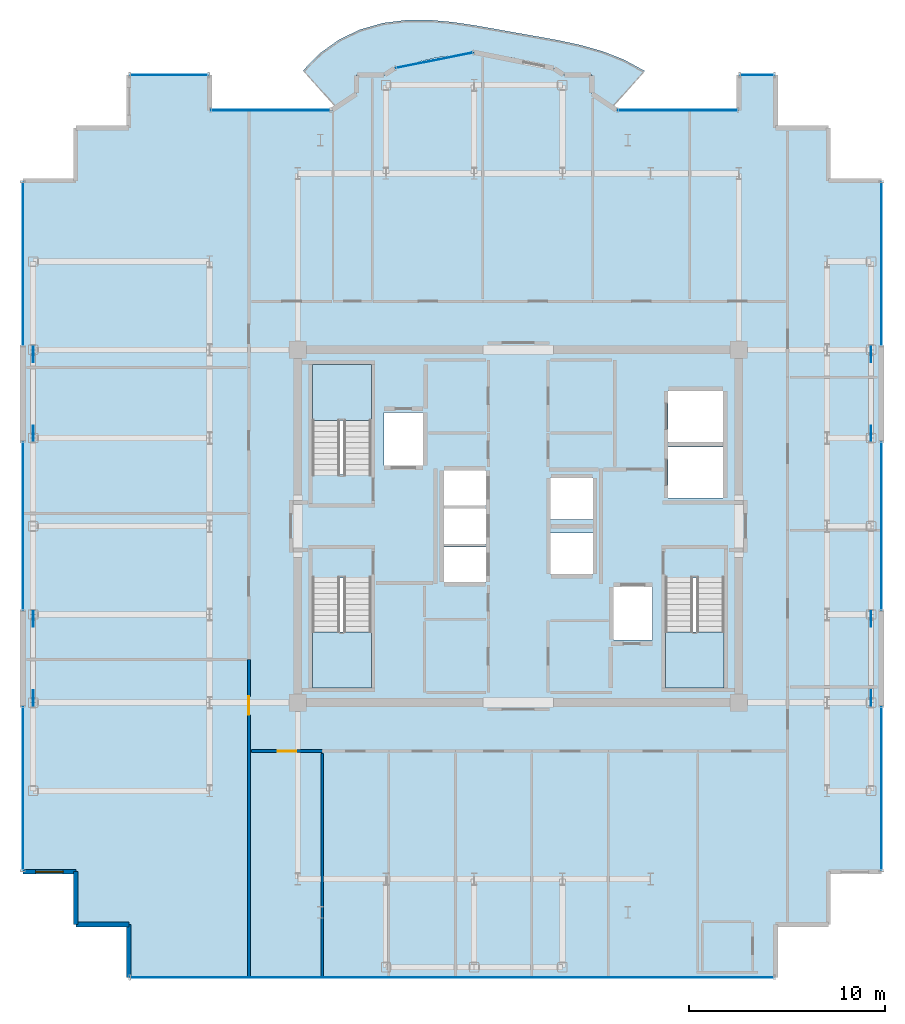
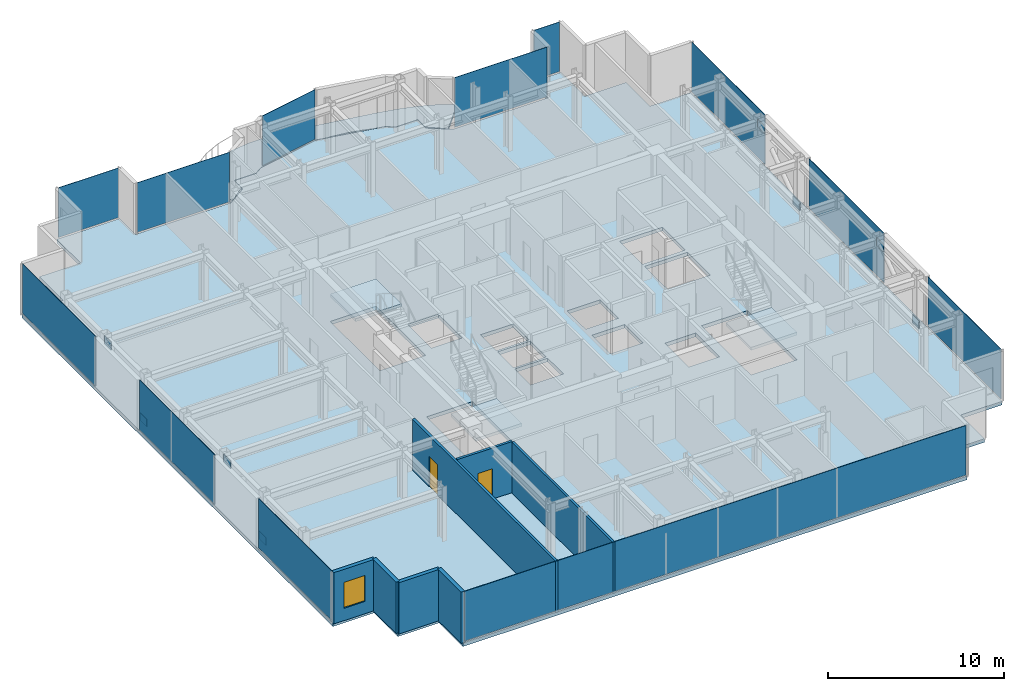
# One storey, part 10 of 16: 20 plates, 7 walls, 5 slabs, 2 doors, 1 window, 3 openings, 15 elements without a shape of their own.
"""IFC4 building model written with IfcOpenShell, lengths in metres."""

from ifc_helpers import new_model, si_unit, direction, frame, frame_2d, origin, origin_2d, place, context, subcontext, project, spatial, polyline, rectangle, outline, extrude, source, transform, mapped, material, layer, layer_set, type_object, element, fill, aggregate, save


model = new_model("IFC4")

# Units and contexts
model_context = context("Model", 3, precision=1e-05, world=origin(), true_north=direction((0.0, 1.0)))
body_context = subcontext(model_context, "Body", "Model", "MODEL_VIEW")
ifc_project = project(units=[si_unit("LENGTHUNIT", "METRE"), si_unit("AREAUNIT", "SQUARE_METRE"), si_unit("VOLUMEUNIT", "CUBIC_METRE"), si_unit("PLANEANGLEUNIT", "RADIAN"), si_unit("MASSUNIT", "GRAM", prefix="KILO")], contexts=[model_context])

# Site, building, storey
site_placement = place(None, origin())
site = spatial("IfcSite", under=ifc_project, at=site_placement, CompositionType="ELEMENT")
building_placement = place(site_placement, origin())
building = spatial("IfcBuilding", under=site, at=building_placement, Name="Nefas-Gora Pilgrimage Tower", CompositionType="ELEMENT")
storey_placement = place(building_placement, frame((0.0, 0.0, 310.199951171875)))
storey = spatial("IfcBuildingStorey", under=building, at=storey_placement, Name="L78", CompositionType="ELEMENT", Elevation=310.199951171875)

# Slabs
ifc_material_1 = material(Name="Concrete C40/50", Category="concrete")
ifc_layer_1 = layer(ifc_material_1, 0.219970703125)
ifc_layer_set_1 = layer_set([ifc_layer_1], Name="Concrete C40/50")
slab_type_1 = type_object("IfcSlabType", Name="SLB-BAL-P3", PredefinedType="FLOOR", material=ifc_layer_set_1)
slab_1_placement = place(storey_placement, frame((0.0, 0.0, -0.219970703125)))
element("IfcSlab", 1, at=slab_1_placement, inside=storey, type_object=slab_type_1, Name="L78 Sinusoidal Lobe Balcony Slab N (Phase 3)", PredefinedType="FLOOR", context=body_context, shape_type="SweptSolid", body=[
    extrude(outline(polyline([(-9.28759765625, 21.385986328125), (-9.224609375, 21.427978515625), (-8.538330078125, 21.9912109375), (-8.260009765625, 22.179931640625), (-8.260009765625, 23.02001953125), (-8.260009765625, 23.02099609375), (-8.259765625, 23.02197265625), (-8.259521484375, 23.02294921875), (-8.25927734375, 23.023681640625), (-8.2587890625, 23.024658203125), (-8.25830078125, 23.025634765625), (-8.2578125, 23.0263671875), (-8.257080078125, 23.027099609375), (-8.25634765625, 23.027587890625), (-8.255615234375, 23.0283203125), (-8.254638671875, 23.02880859375), (-8.25390625, 23.029296875), (-8.2529296875, 23.029541015625), (-8.251953125, 23.02978515625), (-8.2509765625, 23.030029296875), (-8.25, 23.030029296875), (-6.8271484375, 23.030029296875), (-6.31298828125, 23.37353515625), (-6.31201171875, 23.3740234375), (-6.311279296875, 23.37451171875), (-6.310302734375, 23.375), (-6.309326171875, 23.375), (-5.63037109375, 23.51025390625), (-5.102783203125, 23.685302734375), (-4.165283203125, 23.904052734375), (-3.211669921875, 24.035888671875), (-2.919921875, 24.04931640625), (-2.251953125, 24.18212890625), (-2.2509765625, 24.182373046875), (-2.25, 24.182373046875), (-2.2490234375, 24.182373046875), (-2.248046875, 24.18212890625), (-1.580078125, 24.04931640625), (-1.288330078125, 24.035888671875), (-0.334716796875, 23.904052734375), (0.602783203125, 23.685302734375), (1.13037109375, 23.51025390625), (1.809326171875, 23.375), (1.810302734375, 23.375), (1.811279296875, 23.37451171875), (1.81201171875, 23.3740234375), (1.81298828125, 23.37353515625), (2.3271484375, 23.030029296875), (3.75, 23.030029296875), (3.7509765625, 23.030029296875), (3.751953125, 23.02978515625), (3.7529296875, 23.029541015625), (3.75390625, 23.029296875), (3.754638671875, 23.02880859375), (3.755615234375, 23.0283203125), (3.75634765625, 23.027587890625), (3.757080078125, 23.027099609375), (3.7578125, 23.0263671875), (3.75830078125, 23.025634765625), (3.7587890625, 23.024658203125), (3.75927734375, 23.023681640625), (3.759521484375, 23.02294921875), (3.759765625, 23.02197265625), (3.760009765625, 23.02099609375), (3.760009765625, 23.02001953125), (3.760009765625, 22.179931640625), (4.038330078125, 21.9912109375), (4.724609375, 21.427978515625), (4.78759765625, 21.385986328125), (6.4453125, 23.22705078125), (5.391357421875, 23.802978515625), (4.284912109375, 24.234130859375), (3.16455078125, 24.5498046875), (2.055908203125, 24.787353515625), (0.969482421875, 24.985107421875), (-0.099609375, 25.172607421875), (-1.166259765625, 25.3642578125), (-2.25, 25.554931640625), (-3.366455078125, 25.720947265625), (-4.521240234375, 25.824951171875), (-5.70556640625, 25.822509765625), (-6.8955078125, 25.672119140625), (-8.055908203125, 25.343505859375), (-9.14599609375, 24.8232421875), (-10.127197265625, 24.118896484375), (-10.9716796875, 23.25634765625), (-9.28759765625, 21.385986328125)])), origin(), (0.0, 0.0, 1.0), 0.219970703125),
])
ifc_layer_2 = layer(ifc_material_1, 0.25)
ifc_layer_set_2 = layer_set([ifc_layer_2], Name="Concrete C40/50")
slab_type_2 = type_object("IfcSlabType", Name="SLB-TWR-260", PredefinedType="FLOOR", material=ifc_layer_set_2)
slab_2_placement = place(storey_placement, frame((0.0, 0.0, -0.25)))
element("IfcSlab", 2, at=slab_2_placement, inside=storey, type_object=slab_type_2, Name="L78 Structural Floor Slab", PredefinedType="FLOOR", context=body_context, shape_type="SweptSolid", body=[
    extrude(outline(polyline([(15.820068359375, -17.6201171875), (18.52001953125, -17.6201171875), (18.52001953125, 17.6201171875), (15.820068359375, 17.6201171875), (15.820068359375, 20.320068359375), (13.1201171875, 20.320068359375), (13.1201171875, 23.02001953125), (11.25, 23.02001953125), (11.25, 21.219970703125), (5.01806640625, 21.219970703125), (3.75, 22.0673828125), (3.75, 23.02001953125), (2.32421875, 23.02001953125), (1.807373046875, 23.365234375), (-2.25, 24.17236328125), (-6.307373046875, 23.365234375), (-6.82421875, 23.02001953125), (-8.25, 23.02001953125), (-8.25, 22.0673828125), (-9.51806640625, 21.219970703125), (-15.75, 21.219970703125), (-15.75, 23.02001953125), (-19.8701171875, 23.02001953125), (-19.8701171875, 20.320068359375), (-22.570068359375, 20.320068359375), (-22.570068359375, 17.6201171875), (-25.27001953125, 17.6201171875), (-25.27001953125, -17.6201171875), (-22.570068359375, -17.6201171875), (-22.570068359375, -20.320068359375), (-19.8701171875, -20.320068359375), (-19.8701171875, -23.02001953125), (13.1201171875, -23.02001953125), (13.1201171875, -20.320068359375), (15.820068359375, -20.320068359375), (15.820068359375, -17.6201171875)]), holes=[polyline([(-10.5, 2.639892578125), (-10.5, 8.25), (-7.5, 8.25), (-7.5, 2.639892578125), (-10.5, 2.639892578125)]), polyline([(10.5, -2.639892578125), (10.5, -8.25), (7.5, -8.25), (7.5, -2.639892578125), (10.5, -2.639892578125)]), polyline([(-7.5, -2.639892578125), (-7.5, -8.25), (-10.5, -8.25), (-10.5, -2.639892578125), (-7.5, -2.639892578125)]), polyline([(-6.85009765625, 5.800048828125), (-4.85009765625, 5.800048828125), (-4.85009765625, 3.10009765625), (-6.85009765625, 3.10009765625), (-6.85009765625, 5.800048828125)]), polyline([(4.85009765625, -3.10009765625), (6.85009765625, -3.10009765625), (6.85009765625, -5.800048828125), (4.85009765625, -5.800048828125), (4.85009765625, -3.10009765625)]), polyline([(7.64990234375, 4.050048828125), (10.449951171875, 4.050048828125), (10.449951171875, 1.449951171875), (7.64990234375, 1.449951171875), (7.64990234375, 4.050048828125)]), polyline([(7.64990234375, 6.89990234375), (10.449951171875, 6.89990234375), (10.449951171875, 4.300048828125), (7.64990234375, 4.300048828125), (7.64990234375, 6.89990234375)]), polyline([(-3.800048828125, -1.050048828125), (-1.64990234375, -1.050048828125), (-1.64990234375, -2.85009765625), (-3.800048828125, -2.85009765625), (-3.800048828125, -1.050048828125)]), polyline([(-3.800048828125, 0.89990234375), (-1.64990234375, 0.89990234375), (-1.64990234375, -0.89990234375), (-3.800048828125, -0.89990234375), (-3.800048828125, 0.89990234375)]), polyline([(-3.800048828125, 2.85009765625), (-1.64990234375, 2.85009765625), (-1.64990234375, 1.050048828125), (-3.800048828125, 1.050048828125), (-3.800048828125, 2.85009765625)]), polyline([(1.64990234375, -0.35009765625), (3.800048828125, -0.35009765625), (3.800048828125, -2.449951171875), (1.64990234375, -2.449951171875), (1.64990234375, -0.35009765625)]), polyline([(1.64990234375, 2.449951171875), (3.800048828125, 2.449951171875), (3.800048828125, 0.35009765625), (1.64990234375, 0.35009765625), (1.64990234375, 2.449951171875)])]), origin(), (0.0, 0.0, 1.0), 0.25),
])

# Stair, slab
ifc_material_2 = material(Name="Concrete C45/55", Category="concrete")
stair_type = type_object("IfcStairType", Name="STR-1400-R1727", PredefinedType="HALF_TURN_STAIR", material=ifc_material_2)
stair_1_placement = place(storey_placement, origin())
stair_1 = element("IfcStair", 3, at=stair_1_placement, inside=storey, type_object=stair_type, Name="L78 Pressurised Tower Exit Stair ST-01", PredefinedType="HALF_TURN_STAIR")
ifc_layer_3 = layer(ifc_material_1, 0.199951171875)
ifc_layer_set_3 = layer_set([ifc_layer_3], Name="Concrete C40/50")
slab_type_3 = type_object("IfcSlabType", Name="STR-LAND-200", PredefinedType="LANDING", material=ifc_layer_set_3)
slab_3_placement = place(storey_placement, frame((0.0, 0.0, 1.699951171875)))
slab_3 = element("IfcSlab", 4, at=slab_3_placement, type_object=slab_type_3, Name="ST-01 landing 1", PredefinedType="LANDING", context=body_context, shape_type="SweptSolid", body=[
    extrude(outline(polyline([(-7.5, 5.39990234375), (-7.5, 8.25), (-10.5, 8.25), (-10.5, 5.39990234375), (-7.5, 5.39990234375)])), origin(), (0.0, 0.0, 1.0), 0.2001953125),
])
aggregate(stair_1, [slab_3])

stair_2_placement = place(storey_placement, origin())
stair_2 = element("IfcStair", 5, at=stair_2_placement, inside=storey, type_object=stair_type, Name="L78 Pressurised Tower Exit Stair ST-02", PredefinedType="HALF_TURN_STAIR")
slab_4_placement = place(storey_placement, frame((0.0, 0.0, 1.699951171875)))
slab_4 = element("IfcSlab", 6, at=slab_4_placement, type_object=slab_type_3, Name="ST-02 landing 1", PredefinedType="LANDING", context=body_context, shape_type="SweptSolid", body=[
    extrude(outline(polyline([(7.5, -5.39990234375), (7.5, -8.25), (10.5, -8.25), (10.5, -5.39990234375), (7.5, -5.39990234375)])), origin(), (0.0, 0.0, 1.0), 0.2001953125),
])
aggregate(stair_2, [slab_4])

stair_3_placement = place(storey_placement, origin())
stair_3 = element("IfcStair", 7, at=stair_3_placement, inside=storey, type_object=stair_type, Name="L78 Pressurised Tower Exit Stair ST-03", PredefinedType="HALF_TURN_STAIR")
slab_5_placement = place(storey_placement, frame((0.0, 0.0, 1.699951171875)))
slab_5 = element("IfcSlab", 8, at=slab_5_placement, type_object=slab_type_3, Name="ST-03 landing 1", PredefinedType="LANDING", context=body_context, shape_type="SweptSolid", body=[
    extrude(outline(polyline([(-10.5, -5.39990234375), (-10.5, -8.25), (-7.5, -8.25), (-7.5, -5.39990234375), (-10.5, -5.39990234375)])), origin(), (0.0, 0.0, 1.0), 0.2001953125),
])
aggregate(stair_3, [slab_5])

# Plates
ifc_material_3 = material(Name="Steel S355", Category="steel")
ifc_layer_4 = layer(ifc_material_3, 0.052001953125)
ifc_layer_set_4 = layer_set([ifc_layer_4], Name="Steel S355")
plate_type_1 = type_object("IfcPlateType", Name="PLT-NODE-N09", PredefinedType="USERDEFINED", material=ifc_layer_set_4)
shared_shape_1 = source(origin(), body_context, "Body", "SweptSolid", [
    extrude(rectangle(XDim=0.780029296875, YDim=0.0380859375, at=origin_2d()), origin(), (0.0, 0.0, 1.0), 0.5400390625),
])
for number, where, z_axis, x_axis, name in (
    (9, (-24.75, -8.761962890625, 0.05029296875), (0.0, 0.0, 1.0), (0.0, 1.0, 0.0), "Structural Node Gusset Plate N09 (L78)"),
    (10, (-24.75, -4.738037109375, 2.9296875), (0.0, 0.0, 1.0), (0.0, 1.0, 0.0), "Structural Node Gusset Plate N09 (L78)"),
    (11, (-24.75, 4.738037109375, 0.05029296875), (0.0, 0.0, 1.0), (0.0, 1.0, 0.0), "Structural Node Gusset Plate N09 (L78)"),
    (12, (-24.75, 8.761962890625, 2.9296875), (0.0, 0.0, 1.0), (0.0, 1.0, 0.0), "Structural Node Gusset Plate N09 (L78)"),
    (13, (18.0, -8.761962890625, 0.05029296875), (0.0, 0.0, 1.0), (0.0, 1.0, 0.0), "Structural Node Gusset Plate N09 (L78)"),
    (14, (18.0, -4.738037109375, 2.9296875), (0.0, 0.0, 1.0), (0.0, 1.0, 0.0), "Structural Node Gusset Plate N09 (L78)"),
    (15, (18.0, 4.738037109375, 0.05029296875), (0.0, 0.0, 1.0), (0.0, 1.0, 0.0), "Structural Node Gusset Plate N09 (L78)"),
    (16, (18.0, 8.761962890625, 2.9296875), (0.0, 0.0, 1.0), (0.0, 1.0, 0.0), "Structural Node Gusset Plate N09 (L78)"),
):
    element("IfcPlate", number, at=place(storey_placement, frame(where, z_axis=z_axis, x_axis=x_axis)), inside=storey, type_object=plate_type_1, Name=name, ObjectType="GUSSET_PLATE", PredefinedType="USERDEFINED", context=body_context, shape_type="MappedRepresentation", body=[
        mapped(shared_shape_1, transform((0.0, 0.0, 0.0), x_axis=(1.0, 0.0, 0.0), y_axis=(0.0, 1.0, 0.0), z_axis=(0.0, 0.0, 1.0), scale=1.0)),
    ])

# Curtain wall, plate
ifc_material_4 = material(Name="Dark ceramic-fritted solar-control aluminium-glass curtain wall", Category="aluminium")
ifc_layer_5 = layer(ifc_material_4, 0.219970703125)
ifc_layer_set_5 = layer_set([ifc_layer_5], Name="Dark ceramic-fritted solar-control aluminium-glass curtain wall")
curtain_wall_type_1 = type_object("IfcCurtainWallType", Name="CW-SYS-5", PredefinedType="NOTDEFINED", material=ifc_layer_set_5)
curtain_wall_1_placement = place(storey_placement, origin())
curtain_wall_1 = element("IfcCurtainWall", 17, at=curtain_wall_1_placement, inside=storey, type_object=curtain_wall_type_1, Name="L78 Unitised Curtain Wall CW5", PredefinedType="NOTDEFINED")
ifc_material_5 = material(Name="Dark ceramic-printed low-e insulated glass", Category="glass")
ifc_layer_6 = layer(ifc_material_5, 0.028076171875)
ifc_layer_set_6 = layer_set([ifc_layer_6], Name="Dark ceramic-printed low-e insulated glass")
plate_type_2 = type_object("IfcPlateType", Name="CWP-PNL-5", PredefinedType="CURTAIN_PANEL", material=ifc_layer_set_6)
shared_shape_2 = source(origin(), body_context, "Body", "SweptSolid", [
    extrude(rectangle(XDim=6.052001953125, YDim=0.028076171875, at=origin_2d()), origin(), (0.0, 0.0, 1.0), 3.43994140625),
])
plate_1_placement = place(storey_placement, frame((8.134033203125, 21.219970703125, 0.10009765625), z_axis=(0.0, 0.0, 1.0), x_axis=(-1.0, 0.0, 0.0)))
plate_1 = element("IfcPlate", 18, at=plate_1_placement, type_object=plate_type_2, Name="CW5 Ceramic-Fritted Glazing Panel 1", PredefinedType="CURTAIN_PANEL", context=body_context, shape_type="MappedRepresentation", body=[
    mapped(shared_shape_2, transform((0.0, 0.0, 0.0), x_axis=(1.0, 0.0, 0.0), y_axis=(0.0, 1.0, 0.0), z_axis=(0.0, 0.0, 1.0), scale=1.0)),
])
aggregate(curtain_wall_1, [plate_1])

curtain_wall_2_placement = place(storey_placement, origin())
curtain_wall_2 = element("IfcCurtainWall", 19, at=curtain_wall_2_placement, inside=storey, type_object=curtain_wall_type_1, Name="L78 Unitised Curtain Wall CW5", PredefinedType="NOTDEFINED")
plate_2_placement = place(storey_placement, frame((-12.634033203125, 21.219970703125, 0.10009765625), z_axis=(0.0, 0.0, 1.0), x_axis=(-1.0, 0.0, 0.0)))
plate_2 = element("IfcPlate", 20, at=plate_2_placement, type_object=plate_type_2, Name="CW5 Ceramic-Fritted Glazing Panel 1", PredefinedType="CURTAIN_PANEL", context=body_context, shape_type="MappedRepresentation", body=[
    mapped(shared_shape_2, transform((0.0, 0.0, 0.0), x_axis=(1.0, 0.0, 0.0), y_axis=(0.0, 1.0, 0.0), z_axis=(0.0, 0.0, 1.0), scale=1.0)),
])
aggregate(curtain_wall_2, [plate_2])

curtain_wall_3_placement = place(storey_placement, origin())
curtain_wall_3 = element("IfcCurtainWall", 21, at=curtain_wall_3_placement, inside=storey, type_object=curtain_wall_type_1, Name="L78 Unitised Curtain Wall CW5", PredefinedType="NOTDEFINED")
shared_shape_3 = source(origin(), body_context, "Body", "SweptSolid", [
    extrude(rectangle(XDim=3.956787109375, YDim=0.028076171875, at=origin_2d()), origin(), (0.0, 0.0, 1.0), 3.43994140625),
])
plate_3_placement = place(storey_placement, frame((-4.278564453125, 23.768798828125, 0.10009765625), z_axis=(0.0, 0.0, 1.0), x_axis=(-0.980782896852, -0.195102304554, 0.0)))
plate_3 = element("IfcPlate", 22, at=plate_3_placement, type_object=plate_type_2, Name="CW5 Ceramic-Fritted Glazing Panel 1", PredefinedType="CURTAIN_PANEL", context=body_context, shape_type="MappedRepresentation", body=[
    mapped(shared_shape_3, transform((0.0, 0.0, 0.0), x_axis=(1.0, 0.0, 0.0), y_axis=(0.0, 1.0, 0.0), z_axis=(0.0, 0.0, 1.0), scale=1.0)),
])
aggregate(curtain_wall_3, [plate_3])

ifc_layer_7 = layer(ifc_material_4, 0.219970703125)
ifc_layer_set_7 = layer_set([ifc_layer_7], Name="Dark ceramic-fritted solar-control aluminium-glass curtain wall")
curtain_wall_type_2 = type_object("IfcCurtainWallType", Name="CW-SYS-4", PredefinedType="NOTDEFINED", material=ifc_layer_set_7)
curtain_wall_4_placement = place(storey_placement, origin())
curtain_wall_4 = element("IfcCurtainWall", 23, at=curtain_wall_4_placement, inside=storey, type_object=curtain_wall_type_2, Name="L78 Unitised Curtain Wall CW4", PredefinedType="NOTDEFINED")
ifc_layer_8 = layer(ifc_material_5, 0.030029296875)
ifc_layer_set_8 = layer_set([ifc_layer_8], Name="Dark ceramic-printed low-e insulated glass")
plate_type_3 = type_object("IfcPlateType", Name="CWP-PNL-4", PredefinedType="CURTAIN_PANEL", material=ifc_layer_set_8)
shared_shape_4 = source(origin(), body_context, "Body", "SweptSolid", [
    extrude(rectangle(XDim=8.2900390625, YDim=0.030029296875, at=origin_2d()), origin(), (0.0, 0.0, 1.0), 3.43994140625),
])
plate_4_placement = place(storey_placement, frame((18.52001953125, -13.385009765625, 0.10009765625), z_axis=(0.0, 0.0, 1.0), x_axis=(0.0, 1.0, 0.0)))
plate_4 = element("IfcPlate", 24, at=plate_4_placement, type_object=plate_type_3, Name="CW4 Ceramic-Fritted Glazing Panel 1", PredefinedType="CURTAIN_PANEL", context=body_context, shape_type="MappedRepresentation", body=[
    mapped(shared_shape_4, transform((0.0, 0.0, 0.0), x_axis=(1.0, 0.0, 0.0), y_axis=(0.0, 1.0, 0.0), z_axis=(0.0, 0.0, 1.0), scale=1.0)),
])
aggregate(curtain_wall_4, [plate_4])

curtain_wall_5_placement = place(storey_placement, origin())
curtain_wall_5 = element("IfcCurtainWall", 25, at=curtain_wall_5_placement, inside=storey, type_object=curtain_wall_type_2, Name="L78 Unitised Curtain Wall CW4", PredefinedType="NOTDEFINED")
plate_5_placement = place(storey_placement, frame((18.52001953125, 13.385009765625, 0.10009765625), z_axis=(0.0, 0.0, 1.0), x_axis=(0.0, 1.0, 0.0)))
plate_5 = element("IfcPlate", 26, at=plate_5_placement, type_object=plate_type_3, Name="CW4 Ceramic-Fritted Glazing Panel 1", PredefinedType="CURTAIN_PANEL", context=body_context, shape_type="MappedRepresentation", body=[
    mapped(shared_shape_4, transform((0.0, 0.0, 0.0), x_axis=(1.0, 0.0, 0.0), y_axis=(0.0, 1.0, 0.0), z_axis=(0.0, 0.0, 1.0), scale=1.0)),
])
aggregate(curtain_wall_5, [plate_5])

curtain_wall_6_placement = place(storey_placement, origin())
curtain_wall_6 = element("IfcCurtainWall", 27, at=curtain_wall_6_placement, inside=storey, type_object=curtain_wall_type_2, Name="L78 Unitised Curtain Wall CW4", PredefinedType="NOTDEFINED")
plate_6_placement = place(storey_placement, frame((-25.27001953125, 13.385009765625, 0.10009765625), z_axis=(0.0, 0.0, 1.0), x_axis=(0.0, -1.0, 0.0)))
plate_6 = element("IfcPlate", 28, at=plate_6_placement, type_object=plate_type_3, Name="CW4 Ceramic-Fritted Glazing Panel 1", PredefinedType="CURTAIN_PANEL", context=body_context, shape_type="MappedRepresentation", body=[
    mapped(shared_shape_4, transform((0.0, 0.0, 0.0), x_axis=(1.0, 0.0, 0.0), y_axis=(0.0, 1.0, 0.0), z_axis=(0.0, 0.0, 1.0), scale=1.0)),
])
aggregate(curtain_wall_6, [plate_6])

curtain_wall_7_placement = place(storey_placement, origin())
curtain_wall_7 = element("IfcCurtainWall", 29, at=curtain_wall_7_placement, inside=storey, type_object=curtain_wall_type_2, Name="L78 Unitised Curtain Wall CW4", PredefinedType="NOTDEFINED")
plate_7_placement = place(storey_placement, frame((-25.27001953125, -13.385009765625, 0.10009765625), z_axis=(0.0, 0.0, 1.0), x_axis=(0.0, -1.0, 0.0)))
plate_7 = element("IfcPlate", 30, at=plate_7_placement, type_object=plate_type_3, Name="CW4 Ceramic-Fritted Glazing Panel 1", PredefinedType="CURTAIN_PANEL", context=body_context, shape_type="MappedRepresentation", body=[
    mapped(shared_shape_4, transform((0.0, 0.0, 0.0), x_axis=(1.0, 0.0, 0.0), y_axis=(0.0, 1.0, 0.0), z_axis=(0.0, 0.0, 1.0), scale=1.0)),
])
aggregate(curtain_wall_7, [plate_7])

curtain_wall_8_placement = place(storey_placement, origin())
curtain_wall_8 = element("IfcCurtainWall", 31, at=curtain_wall_8_placement, inside=storey, type_object=curtain_wall_type_2, Name="L78 Unitised Curtain Wall CW4", PredefinedType="NOTDEFINED")
shared_shape_5 = source(origin(), body_context, "Body", "SweptSolid", [
    extrude(rectangle(XDim=8.52001953125, YDim=0.030029296875, at=origin_2d()), origin(), (0.0, 0.0, 1.0), 3.43994140625),
])
plate_8_placement = place(storey_placement, frame((18.52001953125, 0.0, 0.10009765625), z_axis=(0.0, 0.0, 1.0), x_axis=(0.0, 1.0, 0.0)))
plate_8 = element("IfcPlate", 32, at=plate_8_placement, type_object=plate_type_3, Name="CW4 Ceramic-Fritted Glazing Panel 1", PredefinedType="CURTAIN_PANEL", context=body_context, shape_type="MappedRepresentation", body=[
    mapped(shared_shape_5, transform((0.0, 0.0, 0.0), x_axis=(1.0, 0.0, 0.0), y_axis=(0.0, 1.0, 0.0), z_axis=(0.0, 0.0, 1.0), scale=1.0)),
])
aggregate(curtain_wall_8, [plate_8])

curtain_wall_9_placement = place(storey_placement, origin())
curtain_wall_9 = element("IfcCurtainWall", 33, at=curtain_wall_9_placement, inside=storey, type_object=curtain_wall_type_2, Name="L78 Unitised Curtain Wall CW4", PredefinedType="NOTDEFINED")
plate_9_placement = place(storey_placement, frame((-25.27001953125, 0.0, 0.10009765625), z_axis=(0.0, 0.0, 1.0), x_axis=(0.0, -1.0, 0.0)))
plate_9 = element("IfcPlate", 34, at=plate_9_placement, type_object=plate_type_3, Name="CW4 Ceramic-Fritted Glazing Panel 1", PredefinedType="CURTAIN_PANEL", context=body_context, shape_type="MappedRepresentation", body=[
    mapped(shared_shape_5, transform((0.0, 0.0, 0.0), x_axis=(1.0, 0.0, 0.0), y_axis=(0.0, 1.0, 0.0), z_axis=(0.0, 0.0, 1.0), scale=1.0)),
])
aggregate(curtain_wall_9, [plate_9])

curtain_wall_10_placement = place(storey_placement, origin())
curtain_wall_10 = element("IfcCurtainWall", 35, at=curtain_wall_10_placement, inside=storey, type_object=curtain_wall_type_2, Name="L78 Unitised Curtain Wall CW4", PredefinedType="NOTDEFINED")
shared_shape_6 = source(origin(), body_context, "Body", "SweptSolid", [
    extrude(rectangle(XDim=1.68994140625, YDim=0.030029296875, at=origin_2d()), origin(), (0.0, 0.0, 1.0), 3.43994140625),
])
plate_10_placement = place(storey_placement, frame((12.18505859375, 23.02001953125, 0.10009765625), z_axis=(0.0, 0.0, 1.0), x_axis=(-1.0, 0.0, 0.0)))
plate_10 = element("IfcPlate", 36, at=plate_10_placement, type_object=plate_type_3, Name="CW4 Ceramic-Fritted Glazing Panel 1", PredefinedType="CURTAIN_PANEL", context=body_context, shape_type="MappedRepresentation", body=[
    mapped(shared_shape_6, transform((0.0, 0.0, 0.0), x_axis=(1.0, 0.0, 0.0), y_axis=(0.0, 1.0, 0.0), z_axis=(0.0, 0.0, 1.0), scale=1.0)),
])
aggregate(curtain_wall_10, [plate_10])

curtain_wall_11_placement = place(storey_placement, origin())
curtain_wall_11 = element("IfcCurtainWall", 37, at=curtain_wall_11_placement, inside=storey, type_object=curtain_wall_type_2, Name="L78 Unitised Curtain Wall CW4", PredefinedType="NOTDEFINED")
shared_shape_7 = source(origin(), body_context, "Body", "SweptSolid", [
    extrude(rectangle(XDim=3.93994140625, YDim=0.030029296875, at=origin_2d()), origin(), (0.0, 0.0, 1.0), 3.43994140625),
])
plate_11_placement = place(storey_placement, frame((-17.81005859375, 23.02001953125, 0.10009765625), z_axis=(0.0, 0.0, 1.0), x_axis=(-1.0, 0.0, 0.0)))
plate_11 = element("IfcPlate", 38, at=plate_11_placement, type_object=plate_type_3, Name="CW4 Ceramic-Fritted Glazing Panel 1", PredefinedType="CURTAIN_PANEL", context=body_context, shape_type="MappedRepresentation", body=[
    mapped(shared_shape_7, transform((0.0, 0.0, 0.0), x_axis=(1.0, 0.0, 0.0), y_axis=(0.0, 1.0, 0.0), z_axis=(0.0, 0.0, 1.0), scale=1.0)),
])
aggregate(curtain_wall_11, [plate_11])

curtain_wall_12_placement = place(storey_placement, origin())
curtain_wall_12 = element("IfcCurtainWall", 39, at=curtain_wall_12_placement, inside=storey, type_object=curtain_wall_type_2, Name="L78 Unitised Curtain Wall CW4", PredefinedType="NOTDEFINED")
shared_shape_8 = source(origin(), body_context, "Body", "SweptSolid", [
    extrude(rectangle(XDim=32.81005859375, YDim=0.030029296875, at=origin_2d()), origin(), (0.0, 0.0, 1.0), 3.43994140625),
])
plate_12_placement = place(storey_placement, frame((-3.375, -23.02001953125, 0.10009765625), z_axis=(0.0, 0.0, 1.0), x_axis=(1.0, 0.0, 0.0)))
plate_12 = element("IfcPlate", 40, at=plate_12_placement, type_object=plate_type_3, Name="CW4 Ceramic-Fritted Glazing Panel 1", PredefinedType="CURTAIN_PANEL", context=body_context, shape_type="MappedRepresentation", body=[
    mapped(shared_shape_8, transform((0.0, 0.0, 0.0), x_axis=(1.0, 0.0, 0.0), y_axis=(0.0, 1.0, 0.0), z_axis=(0.0, 0.0, 1.0), scale=1.0)),
])
aggregate(curtain_wall_12, [plate_12])

# Wall, opening, window
ifc_material_6 = material(Name="Precast concrete C45/55", Category="concrete")
ifc_layer_9 = layer(ifc_material_6, 0.239990234375)
ifc_layer_set_9 = layer_set([ifc_layer_9], Name="Precast concrete C45/55")
wall_type_1 = type_object("IfcWallType", Name="EW-SERR-240", PredefinedType="SHEAR", material=ifc_layer_set_9)
shared_shape_9 = source(origin(), body_context, "Body", "SweptSolid", [
    extrude(rectangle(XDim=2.699951171875, YDim=0.239990234375, at=frame_2d((1.35009765625, 0.0))), origin(), (0.0, 0.0, 1.0), 3.550048828125),
])
wall_1_placement = place(storey_placement, frame((-25.27001953125, -17.6201171875, 0.0), z_axis=(0.0, 0.0, 1.0), x_axis=(1.0, 0.0, 0.0)))
wall_1 = element("IfcWall", 41, at=wall_1_placement, inside=storey, type_object=wall_type_1, Name="L78 Serrated Corner Shear Pier Wall 25", PredefinedType="SHEAR", context=body_context, shape_type="MappedRepresentation", body=[
    mapped(shared_shape_9, transform((0.0, 0.0, 0.0), x_axis=(1.0, 0.0, 0.0), y_axis=(0.0, 1.0, 0.0), z_axis=(0.0, 0.0, 1.0), scale=1.0)),
])
opening_1_placement = place(wall_1_placement, frame((0.64990234375, 0.0, 0.85009765625)))
opening_1 = element("IfcOpeningElement", 42, at=opening_1_placement, cuts=wall_1, Name="Opening W-V2", PredefinedType="OPENING", context=body_context, shape_type="SweptSolid", body=[
    extrude(rectangle(XDim=1.39990234375, YDim=1.800048828125, at=frame_2d((0.699951171875, 0.89990234375))), frame((0.0, 0.1298828125, 0.0), z_axis=(0.0, -1.0, 0.0), x_axis=(1.0, 0.0, 0.0)), (0.0, 0.0, 1.0), 0.260009765625),
])
ifc_material_7 = material(Name="Dark ceramic-fritted operable aluminium-glass window", Category="aluminium")
window_type = type_object("IfcWindowType", Name="WIN-VENT-1400x1800", PartitioningType="SINGLE_PANEL", PredefinedType="WINDOW", material=ifc_material_7)
shared_shape_10 = source(origin(), body_context, "Body", "SweptSolid", [
    extrude(rectangle(XDim=1.39990234375, YDim=1.800048828125, at=frame_2d((0.699951171875, 0.89990234375))), frame((0.0, 0.030029296875, 0.0), z_axis=(0.0, -1.0, 0.0), x_axis=(1.0, 0.0, 0.0)), (0.0, 0.0, 1.0), 0.06005859375),
])
window_placement = place(opening_1_placement, origin())
window = element("IfcWindow", 43, at=window_placement, inside=storey, type_object=window_type, Name="L78 Operable Parallel-Outswing Window 25", OverallHeight=1.800048828125, OverallWidth=1.39990234375, PartitioningType="SINGLE_PANEL", PredefinedType="WINDOW", context=body_context, shape_type="MappedRepresentation", body=[
    mapped(shared_shape_10, transform((0.0, 0.0, 0.0), x_axis=(1.0, 0.0, 0.0), y_axis=(0.0, 1.0, 0.0), z_axis=(0.0, 0.0, 1.0), scale=1.0)),
])
fill(opening_1, window)

# Walls
for number, where, z_axis, x_axis, name in (
    (44, (-22.570068359375, -17.6201171875, 0.0), (0.0, 0.0, 1.0), (0.0, -1.0, 0.0), "L78 Serrated Corner Shear Pier Wall 26"),
    (45, (-22.570068359375, -20.320068359375, 0.0), (0.0, 0.0, 1.0), (1.0, 0.0, 0.0), "L78 Serrated Corner Shear Pier Wall 27"),
    (46, (-19.8701171875, -20.320068359375, 0.0), (0.0, 0.0, 1.0), (0.0, -1.0, 0.0), "L78 Serrated Corner Shear Pier Wall 28"),
):
    element("IfcWall", number, at=place(storey_placement, frame(where, z_axis=z_axis, x_axis=x_axis)), inside=storey, type_object=wall_type_1, Name=name, PredefinedType="SHEAR", context=body_context, shape_type="MappedRepresentation", body=[
        mapped(shared_shape_9, transform((0.0, 0.0, 0.0), x_axis=(1.0, 0.0, 0.0), y_axis=(0.0, 1.0, 0.0), z_axis=(0.0, 0.0, 1.0), scale=1.0)),
    ])

# Wall, opening, door
ifc_material_8 = material(Name="Gypsum acoustic stud partition")
ifc_layer_10 = layer(ifc_material_8, 0.159912109375)
ifc_layer_set_10 = layer_set([ifc_layer_10], Name="Gypsum acoustic stud partition")
wall_type_2 = type_object("IfcWallType", Name="IW-CORR-160", PredefinedType="PARTITIONING", material=ifc_layer_set_10)
shared_shape_11 = source(origin(), body_context, "Body", "SweptSolid", [
    extrude(rectangle(XDim=16.2451171875, YDim=0.159912109375, at=frame_2d((8.12255859375, 0.0))), origin(), (0.0, 0.0, 1.0), 3.53515625),
])
wall_2_placement = place(storey_placement, frame((-13.739990234375, -23.0400390625, 0.0), z_axis=(0.0, 0.0, 1.0), x_axis=(0.0, 1.0, 0.0)))
wall_2 = element("IfcWall", 47, at=wall_2_placement, inside=storey, type_object=wall_type_2, Name="L78 Pilgrim Devotional Prayer Gallery Partition Wall 43", PredefinedType="PARTITIONING", context=body_context, shape_type="MappedRepresentation", body=[
    mapped(shared_shape_11, transform((0.0, 0.0, 0.0), x_axis=(1.0, 0.0, 0.0), y_axis=(0.0, 1.0, 0.0), z_axis=(0.0, 0.0, 1.0), scale=1.0)),
])
opening_2_placement = place(wall_2_placement, frame((13.41259765625, 0.0, 0.0)))
opening_2 = element("IfcOpeningElement", 48, at=opening_2_placement, cuts=wall_2, Name="Opening ID-GR1", PredefinedType="OPENING", context=body_context, shape_type="SweptSolid", body=[
    extrude(rectangle(XDim=0.949951171875, YDim=2.10009765625, at=frame_2d((0.47509765625, 1.050048828125))), frame((0.0, 0.08984375, 0.0), z_axis=(0.0, -1.0, 0.0), x_axis=(1.0, 0.0, 0.0)), (0.0, 0.0, 1.0), 0.179931640625),
])
ifc_material_9 = material(Name="Solid core oak fire-rated guest entrance door")
door_type = type_object("IfcDoorType", Name="DR-INT-GUEST-950", OperationType="NOTDEFINED", PredefinedType="DOOR", material=ifc_material_9)
shared_shape_12 = source(origin(), body_context, "Body", "SweptSolid", [
    extrude(rectangle(XDim=0.949951171875, YDim=2.10009765625, at=frame_2d((0.47509765625, 1.050048828125))), frame((0.0, 0.02490234375, 0.0), z_axis=(0.0, -1.0, 0.0), x_axis=(1.0, 0.0, 0.0)), (0.0, 0.0, 1.0), 0.050048828125),
])
door_1_placement = place(opening_2_placement, origin())
door_1 = element("IfcDoor", 49, at=door_1_placement, inside=storey, type_object=door_type, Name="L78 Pilgrim Devotional Prayer Gallery Door 17", OperationType="SINGLE_SWING_RIGHT", OverallHeight=2.10009765625, OverallWidth=0.949951171875, PredefinedType="DOOR", context=body_context, shape_type="MappedRepresentation", body=[
    mapped(shared_shape_12, transform((0.0, 0.0, 0.0), x_axis=(1.0, 0.0, 0.0), y_axis=(0.0, 1.0, 0.0), z_axis=(0.0, 0.0, 1.0), scale=1.0)),
])
fill(opening_2, door_1)

shared_shape_13 = source(origin(), body_context, "Body", "SweptSolid", [
    extrude(rectangle(XDim=3.625, YDim=0.159912109375, at=frame_2d((1.8125, 0.0))), origin(), (0.0, 0.0, 1.0), 3.53515625),
])
wall_3_placement = place(storey_placement, frame((-13.6201171875, -11.469970703125, 0.0), z_axis=(0.0, 0.0, 1.0), x_axis=(1.0, 0.0, 0.0)))
wall_3 = element("IfcWall", 50, at=wall_3_placement, inside=storey, type_object=wall_type_2, Name="L78 Pilgrim Contemplative Lounge Partition Wall 65", PredefinedType="PARTITIONING", context=body_context, shape_type="MappedRepresentation", body=[
    mapped(shared_shape_13, transform((0.0, 0.0, 0.0), x_axis=(1.0, 0.0, 0.0), y_axis=(0.0, 1.0, 0.0), z_axis=(0.0, 0.0, 1.0), scale=1.0)),
])
opening_3_placement = place(wall_3_placement, frame((1.33740234375, 0.0, 0.0)))
opening_3 = element("IfcOpeningElement", 51, at=opening_3_placement, cuts=wall_3, Name="Opening ID-GR1", PredefinedType="OPENING", context=body_context, shape_type="SweptSolid", body=[
    extrude(rectangle(XDim=0.949951171875, YDim=2.10009765625, at=frame_2d((0.47509765625, 1.050048828125))), frame((0.0, 0.08984375, 0.0), z_axis=(0.0, -1.0, 0.0), x_axis=(1.0, 0.0, 0.0)), (0.0, 0.0, 1.0), 0.179931640625),
])
door_2_placement = place(opening_3_placement, origin())
door_2 = element("IfcDoor", 52, at=door_2_placement, inside=storey, type_object=door_type, Name="L78 Pilgrim Contemplative Lounge Door 30", OperationType="SINGLE_SWING_LEFT", OverallHeight=2.10009765625, OverallWidth=0.949951171875, PredefinedType="DOOR", context=body_context, shape_type="MappedRepresentation", body=[
    mapped(shared_shape_12, transform((0.0, 0.0, 0.0), x_axis=(1.0, 0.0, 0.0), y_axis=(0.0, 1.0, 0.0), z_axis=(0.0, 0.0, 1.0), scale=1.0)),
])
fill(opening_3, door_2)

# Wall
ifc_material_10 = material(Name="Gypsum twin-stud partition")
ifc_layer_11 = layer(ifc_material_10, 0.139892578125)
ifc_layer_set_11 = layer_set([ifc_layer_11], Name="Gypsum twin-stud partition")
wall_type_3 = type_object("IfcWallType", Name="IW-UNIT-140", PredefinedType="PARTITIONING", material=ifc_layer_set_11)
shared_shape_14 = source(origin(), body_context, "Body", "SweptSolid", [
    extrude(rectangle(XDim=11.449951171875, YDim=0.139892578125, at=frame_2d((5.72509765625, 0.0))), origin(), (0.0, 0.0, 1.0), 3.53515625),
])
wall_4_placement = place(storey_placement, frame((-10.0048828125, -23.0400390625, 0.0), z_axis=(0.0, 0.0, 1.0), x_axis=(0.0, 1.0, 0.0)))
element("IfcWall", 53, at=wall_4_placement, inside=storey, type_object=wall_type_3, Name="L78 Pilgrim Contemplative Lounge Partition Wall 66", PredefinedType="PARTITIONING", context=body_context, shape_type="MappedRepresentation", body=[
    mapped(shared_shape_14, transform((0.0, 0.0, 0.0), x_axis=(1.0, 0.0, 0.0), y_axis=(0.0, 1.0, 0.0), z_axis=(0.0, 0.0, 1.0), scale=1.0)),
])

save(model, "model.ifc")
